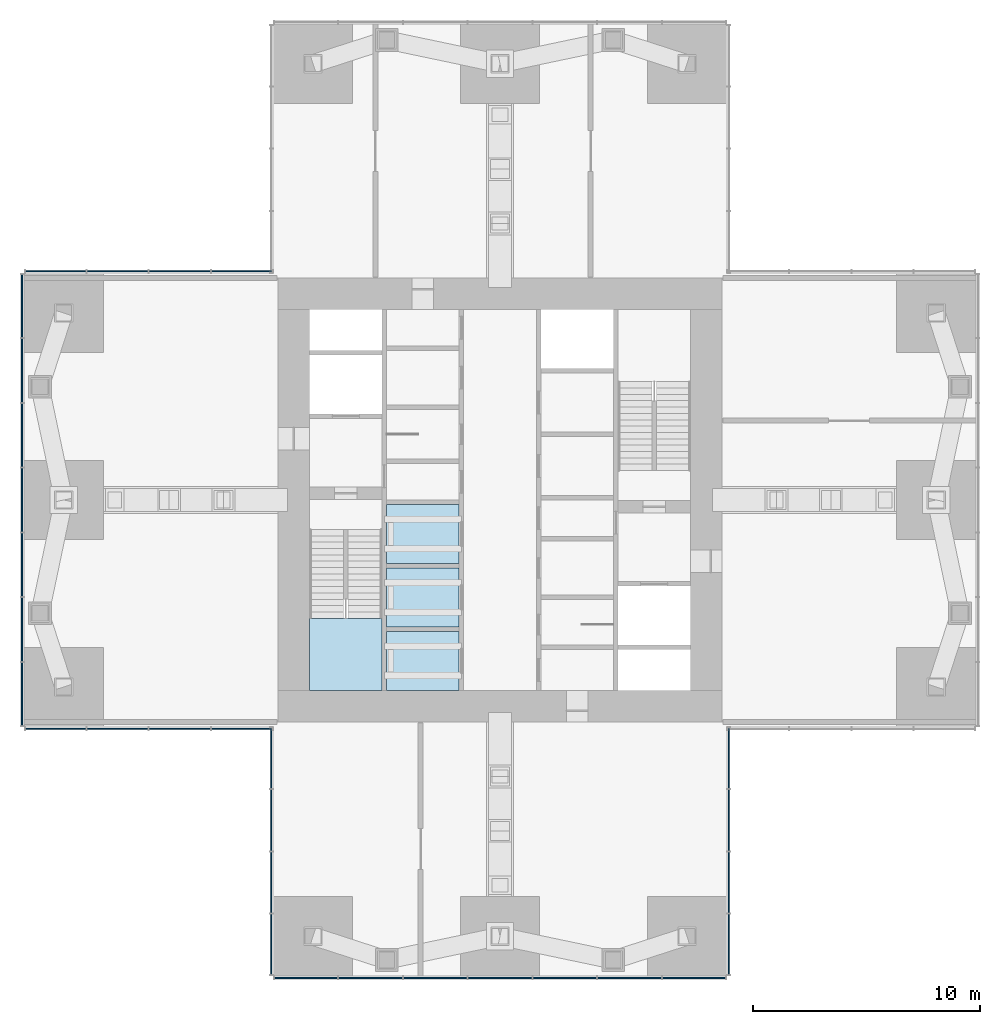
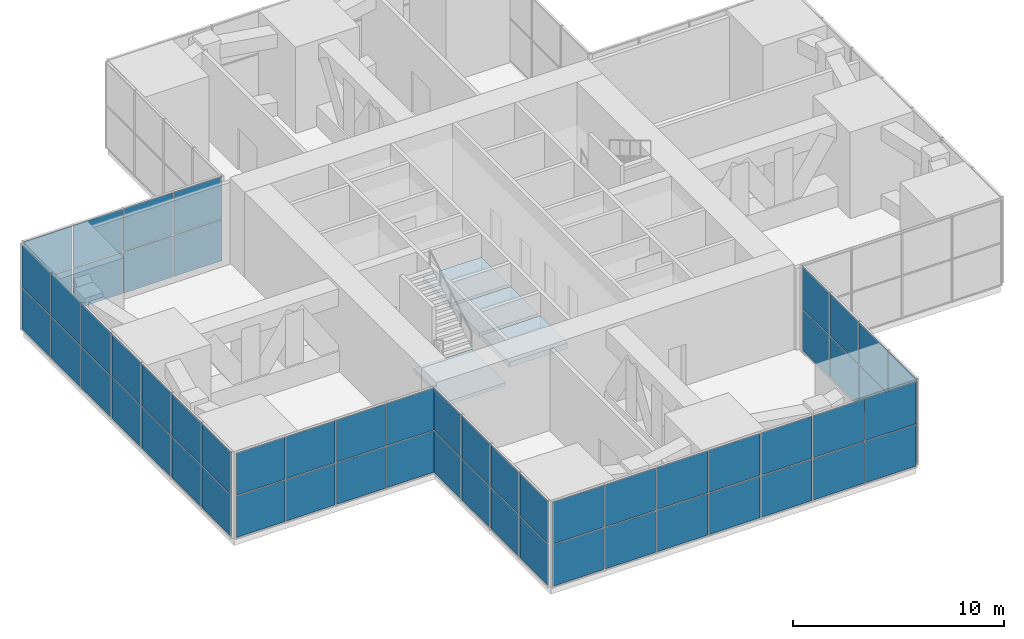
# One storey, part 8 of 12: 60 plates, 4 slabs, 7 elements without a shape of their own.
"""IFC4 building model written with IfcOpenShell, lengths in metres."""

from ifc_helpers import new_model, si_unit, direction, frame, origin, origin_2d, place, context, subcontext, project, spatial, polyline, rectangle, outline, extrude, material, layer, layer_set, type_object, element, aggregate, save


model = new_model("IFC4")

# Units and contexts
model_context = context("Model", 3, precision=1e-05, world=origin(), true_north=direction((0.0, 1.0)))
body_context = subcontext(model_context, "Body", "Model", "MODEL_VIEW")
ifc_project = project(units=[si_unit("LENGTHUNIT", "METRE"), si_unit("AREAUNIT", "SQUARE_METRE"), si_unit("VOLUMEUNIT", "CUBIC_METRE"), si_unit("PLANEANGLEUNIT", "RADIAN"), si_unit("MASSUNIT", "GRAM", prefix="KILO")], contexts=[model_context])

# Site, building, storey
site_placement = place(None, origin())
site = spatial("IfcSite", under=ifc_project, at=site_placement, CompositionType="ELEMENT")
building_placement = place(site_placement, origin())
building = spatial("IfcBuilding", under=site, at=building_placement, Name="Svetlomir Tower", CompositionType="ELEMENT")
storey_placement = place(building_placement, frame((0.0, 0.0, 234.5)))
storey = spatial("IfcBuildingStorey", under=building, at=storey_placement, Name="L56", CompositionType="ELEMENT", Elevation=234.5)

# Curtain wall, plates
ifc_material_1 = material(Name="Bronze anodised aluminium curtain wall", Category="aluminium")
curtain_wall_type = type_object("IfcCurtainWallType", Name="CURTAIN WALL CW3 PLANT LOUVRE", PredefinedType="NOTDEFINED", material=ifc_material_1)
curtain_wall_1_placement = place(storey_placement, origin())
curtain_wall_1 = element("IfcCurtainWall", 1, at=curtain_wall_1_placement, inside=storey, type_object=curtain_wall_type, Name="Curtain wall CW3 L56", PredefinedType="NOTDEFINED")
ifc_material_2 = material(Name="Bronze anodised aluminium louvre", Category="aluminium")
ifc_layer_1 = layer(ifc_material_2, 0.050048828125)
ifc_layer_set_1 = layer_set([ifc_layer_1], Name="Bronze anodised aluminium louvre")
plate_type = type_object("IfcPlateType", Name="CW3 LOUVRE PANEL 50", PredefinedType="CURTAIN_PANEL", material=ifc_layer_set_1)
plate_1_placement = place(storey_placement, frame((12.44482421875, -0.090087890625, 0.06494140625), z_axis=(0.0, 0.0, 1.0), x_axis=(1.0, 0.0, 0.0)))
plate_1 = element("IfcPlate", 2, at=plate_1_placement, type_object=plate_type, Name="CW3 panel 1.1", PredefinedType="CURTAIN_PANEL", context=body_context, shape_type="SweptSolid", body=[
    extrude(rectangle(XDim=2.759521484375, YDim=0.050048828125, at=origin_2d()), origin(), (0.0, 0.0, 1.0), 2.38623046875),
])
plate_2_placement = place(storey_placement, frame((12.44482421875, -0.090087890625, 2.51611328125), z_axis=(0.0, 0.0, 1.0), x_axis=(1.0, 0.0, 0.0)))
plate_2 = element("IfcPlate", 3, at=plate_2_placement, type_object=plate_type, Name="CW3 panel 1.2", PredefinedType="CURTAIN_PANEL", context=body_context, shape_type="SweptSolid", body=[
    extrude(rectangle(XDim=2.759521484375, YDim=0.050048828125, at=origin_2d()), origin(), (0.0, 0.0, 1.0), 2.418701171875),
])
plate_3_placement = place(storey_placement, frame((15.28564453125, -0.090087890625, 0.06494140625), z_axis=(0.0, 0.0, 1.0), x_axis=(1.0, 0.0, 0.0)))
plate_3 = element("IfcPlate", 4, at=plate_3_placement, type_object=plate_type, Name="CW3 panel 2.1", PredefinedType="CURTAIN_PANEL", context=body_context, shape_type="SweptSolid", body=[
    extrude(rectangle(XDim=2.792236328125, YDim=0.050048828125, at=origin_2d()), origin(), (0.0, 0.0, 1.0), 2.38623046875),
])
plate_4_placement = place(storey_placement, frame((15.28564453125, -0.090087890625, 2.51611328125), z_axis=(0.0, 0.0, 1.0), x_axis=(1.0, 0.0, 0.0)))
plate_4 = element("IfcPlate", 5, at=plate_4_placement, type_object=plate_type, Name="CW3 panel 2.2", PredefinedType="CURTAIN_PANEL", context=body_context, shape_type="SweptSolid", body=[
    extrude(rectangle(XDim=2.792236328125, YDim=0.050048828125, at=origin_2d()), origin(), (0.0, 0.0, 1.0), 2.418701171875),
])
plate_5_placement = place(storey_placement, frame((18.142822265625, -0.090087890625, 0.06494140625), z_axis=(0.0, 0.0, 1.0), x_axis=(1.0, 0.0, 0.0)))
plate_5 = element("IfcPlate", 6, at=plate_5_placement, type_object=plate_type, Name="CW3 panel 3.1", PredefinedType="CURTAIN_PANEL", context=body_context, shape_type="SweptSolid", body=[
    extrude(rectangle(XDim=2.792236328125, YDim=0.050048828125, at=origin_2d()), origin(), (0.0, 0.0, 1.0), 2.38623046875),
])
plate_6_placement = place(storey_placement, frame((18.142822265625, -0.090087890625, 2.51611328125), z_axis=(0.0, 0.0, 1.0), x_axis=(1.0, 0.0, 0.0)))
plate_6 = element("IfcPlate", 7, at=plate_6_placement, type_object=plate_type, Name="CW3 panel 3.2", PredefinedType="CURTAIN_PANEL", context=body_context, shape_type="SweptSolid", body=[
    extrude(rectangle(XDim=2.792236328125, YDim=0.050048828125, at=origin_2d()), origin(), (0.0, 0.0, 1.0), 2.418701171875),
])
plate_7_placement = place(storey_placement, frame((21.0, -0.090087890625, 0.06494140625), z_axis=(0.0, 0.0, 1.0), x_axis=(1.0, 0.0, 0.0)))
plate_7 = element("IfcPlate", 8, at=plate_7_placement, type_object=plate_type, Name="CW3 panel 4.1", PredefinedType="CURTAIN_PANEL", context=body_context, shape_type="SweptSolid", body=[
    extrude(rectangle(XDim=2.792236328125, YDim=0.050048828125, at=origin_2d()), origin(), (0.0, 0.0, 1.0), 2.38623046875),
])
plate_8_placement = place(storey_placement, frame((21.0, -0.090087890625, 2.51611328125), z_axis=(0.0, 0.0, 1.0), x_axis=(1.0, 0.0, 0.0)))
plate_8 = element("IfcPlate", 9, at=plate_8_placement, type_object=plate_type, Name="CW3 panel 4.2", PredefinedType="CURTAIN_PANEL", context=body_context, shape_type="SweptSolid", body=[
    extrude(rectangle(XDim=2.792236328125, YDim=0.050048828125, at=origin_2d()), origin(), (0.0, 0.0, 1.0), 2.418701171875),
])
plate_9_placement = place(storey_placement, frame((23.857177734375, -0.090087890625, 0.06494140625), z_axis=(0.0, 0.0, 1.0), x_axis=(1.0, 0.0, 0.0)))
plate_9 = element("IfcPlate", 10, at=plate_9_placement, type_object=plate_type, Name="CW3 panel 5.1", PredefinedType="CURTAIN_PANEL", context=body_context, shape_type="SweptSolid", body=[
    extrude(rectangle(XDim=2.792236328125, YDim=0.050048828125, at=origin_2d()), origin(), (0.0, 0.0, 1.0), 2.38623046875),
])
plate_10_placement = place(storey_placement, frame((23.857177734375, -0.090087890625, 2.51611328125), z_axis=(0.0, 0.0, 1.0), x_axis=(1.0, 0.0, 0.0)))
plate_10 = element("IfcPlate", 11, at=plate_10_placement, type_object=plate_type, Name="CW3 panel 5.2", PredefinedType="CURTAIN_PANEL", context=body_context, shape_type="SweptSolid", body=[
    extrude(rectangle(XDim=2.792236328125, YDim=0.050048828125, at=origin_2d()), origin(), (0.0, 0.0, 1.0), 2.418701171875),
])
plate_11_placement = place(storey_placement, frame((26.71435546875, -0.090087890625, 0.06494140625), z_axis=(0.0, 0.0, 1.0), x_axis=(1.0, 0.0, 0.0)))
plate_11 = element("IfcPlate", 12, at=plate_11_placement, type_object=plate_type, Name="CW3 panel 6.1", PredefinedType="CURTAIN_PANEL", context=body_context, shape_type="SweptSolid", body=[
    extrude(rectangle(XDim=2.792236328125, YDim=0.050048828125, at=origin_2d()), origin(), (0.0, 0.0, 1.0), 2.38623046875),
])
plate_12_placement = place(storey_placement, frame((26.71435546875, -0.090087890625, 2.51611328125), z_axis=(0.0, 0.0, 1.0), x_axis=(1.0, 0.0, 0.0)))
plate_12 = element("IfcPlate", 13, at=plate_12_placement, type_object=plate_type, Name="CW3 panel 6.2", PredefinedType="CURTAIN_PANEL", context=body_context, shape_type="SweptSolid", body=[
    extrude(rectangle(XDim=2.792236328125, YDim=0.050048828125, at=origin_2d()), origin(), (0.0, 0.0, 1.0), 2.418701171875),
])
plate_13_placement = place(storey_placement, frame((29.55517578125, -0.090087890625, 0.06494140625), z_axis=(0.0, 0.0, 1.0), x_axis=(1.0, 0.0, 0.0)))
plate_13 = element("IfcPlate", 14, at=plate_13_placement, type_object=plate_type, Name="CW3 panel 7.1", PredefinedType="CURTAIN_PANEL", context=body_context, shape_type="SweptSolid", body=[
    extrude(rectangle(XDim=2.759521484375, YDim=0.050048828125, at=origin_2d()), origin(), (0.0, 0.0, 1.0), 2.38623046875),
])
plate_14_placement = place(storey_placement, frame((29.55517578125, -0.090087890625, 2.51611328125), z_axis=(0.0, 0.0, 1.0), x_axis=(1.0, 0.0, 0.0)))
plate_14 = element("IfcPlate", 15, at=plate_14_placement, type_object=plate_type, Name="CW3 panel 7.2", PredefinedType="CURTAIN_PANEL", context=body_context, shape_type="SweptSolid", body=[
    extrude(rectangle(XDim=2.759521484375, YDim=0.050048828125, at=origin_2d()), origin(), (0.0, 0.0, 1.0), 2.418701171875),
])
aggregate(curtain_wall_1, [plate_1, plate_2, plate_3, plate_4, plate_5, plate_6, plate_7, plate_8, plate_9, plate_10, plate_11, plate_12, plate_13, plate_14])

curtain_wall_2_placement = place(storey_placement, origin())
curtain_wall_2 = element("IfcCurtainWall", 16, at=curtain_wall_2_placement, inside=storey, type_object=curtain_wall_type, Name="Curtain wall CW3 L56", PredefinedType="NOTDEFINED")
plate_15_placement = place(storey_placement, frame((31.090087890625, 1.391357421875, 0.06494140625), z_axis=(0.0, 0.0, 1.0), x_axis=(0.0, 1.0, 0.0)))
plate_15 = element("IfcPlate", 17, at=plate_15_placement, type_object=plate_type, Name="CW3 panel 1.1", PredefinedType="CURTAIN_PANEL", context=body_context, shape_type="SweptSolid", body=[
    extrude(rectangle(XDim=2.652587890625, YDim=0.050048828125, at=origin_2d()), origin(), (0.0, 0.0, 1.0), 2.38623046875),
])
plate_16_placement = place(storey_placement, frame((31.090087890625, 1.391357421875, 2.51611328125), z_axis=(0.0, 0.0, 1.0), x_axis=(0.0, 1.0, 0.0)))
plate_16 = element("IfcPlate", 18, at=plate_16_placement, type_object=plate_type, Name="CW3 panel 1.2", PredefinedType="CURTAIN_PANEL", context=body_context, shape_type="SweptSolid", body=[
    extrude(rectangle(XDim=2.652587890625, YDim=0.050048828125, at=origin_2d()), origin(), (0.0, 0.0, 1.0), 2.418701171875),
])
plate_17_placement = place(storey_placement, frame((31.090087890625, 4.125, 0.06494140625), z_axis=(0.0, 0.0, 1.0), x_axis=(0.0, 1.0, 0.0)))
plate_17 = element("IfcPlate", 19, at=plate_17_placement, type_object=plate_type, Name="CW3 panel 2.1", PredefinedType="CURTAIN_PANEL", context=body_context, shape_type="SweptSolid", body=[
    extrude(rectangle(XDim=2.68505859375, YDim=0.050048828125, at=origin_2d()), origin(), (0.0, 0.0, 1.0), 2.38623046875),
])
plate_18_placement = place(storey_placement, frame((31.090087890625, 4.125, 2.51611328125), z_axis=(0.0, 0.0, 1.0), x_axis=(0.0, 1.0, 0.0)))
plate_18 = element("IfcPlate", 20, at=plate_18_placement, type_object=plate_type, Name="CW3 panel 2.2", PredefinedType="CURTAIN_PANEL", context=body_context, shape_type="SweptSolid", body=[
    extrude(rectangle(XDim=2.68505859375, YDim=0.050048828125, at=origin_2d()), origin(), (0.0, 0.0, 1.0), 2.418701171875),
])
plate_19_placement = place(storey_placement, frame((31.090087890625, 6.875, 0.06494140625), z_axis=(0.0, 0.0, 1.0), x_axis=(0.0, 1.0, 0.0)))
plate_19 = element("IfcPlate", 21, at=plate_19_placement, type_object=plate_type, Name="CW3 panel 3.1", PredefinedType="CURTAIN_PANEL", context=body_context, shape_type="SweptSolid", body=[
    extrude(rectangle(XDim=2.68505859375, YDim=0.050048828125, at=origin_2d()), origin(), (0.0, 0.0, 1.0), 2.38623046875),
])
plate_20_placement = place(storey_placement, frame((31.090087890625, 6.875, 2.51611328125), z_axis=(0.0, 0.0, 1.0), x_axis=(0.0, 1.0, 0.0)))
plate_20 = element("IfcPlate", 22, at=plate_20_placement, type_object=plate_type, Name="CW3 panel 3.2", PredefinedType="CURTAIN_PANEL", context=body_context, shape_type="SweptSolid", body=[
    extrude(rectangle(XDim=2.68505859375, YDim=0.050048828125, at=origin_2d()), origin(), (0.0, 0.0, 1.0), 2.418701171875),
])
plate_21_placement = place(storey_placement, frame((31.090087890625, 9.608642578125, 0.06494140625), z_axis=(0.0, 0.0, 1.0), x_axis=(0.0, 1.0, 0.0)))
plate_21 = element("IfcPlate", 23, at=plate_21_placement, type_object=plate_type, Name="CW3 panel 4.1", PredefinedType="CURTAIN_PANEL", context=body_context, shape_type="SweptSolid", body=[
    extrude(rectangle(XDim=2.652587890625, YDim=0.050048828125, at=origin_2d()), origin(), (0.0, 0.0, 1.0), 2.38623046875),
])
plate_22_placement = place(storey_placement, frame((31.090087890625, 9.608642578125, 2.51611328125), z_axis=(0.0, 0.0, 1.0), x_axis=(0.0, 1.0, 0.0)))
plate_22 = element("IfcPlate", 24, at=plate_22_placement, type_object=plate_type, Name="CW3 panel 4.2", PredefinedType="CURTAIN_PANEL", context=body_context, shape_type="SweptSolid", body=[
    extrude(rectangle(XDim=2.652587890625, YDim=0.050048828125, at=origin_2d()), origin(), (0.0, 0.0, 1.0), 2.418701171875),
])
aggregate(curtain_wall_2, [plate_15, plate_16, plate_17, plate_18, plate_19, plate_20, plate_21, plate_22])

curtain_wall_3_placement = place(storey_placement, origin())
curtain_wall_3 = element("IfcCurtainWall", 25, at=curtain_wall_3_placement, inside=storey, type_object=curtain_wall_type, Name="Curtain wall CW3 L56", PredefinedType="NOTDEFINED")
plate_23_placement = place(storey_placement, frame((9.608642578125, 31.090087890625, 0.06494140625), z_axis=(0.0, 0.0, 1.0), x_axis=(-1.0, 0.0, 0.0)))
plate_23 = element("IfcPlate", 26, at=plate_23_placement, type_object=plate_type, Name="CW3 panel 1.1", PredefinedType="CURTAIN_PANEL", context=body_context, shape_type="SweptSolid", body=[
    extrude(rectangle(XDim=2.652587890625, YDim=0.050048828125, at=origin_2d()), origin(), (0.0, 0.0, 1.0), 2.38623046875),
])
plate_24_placement = place(storey_placement, frame((9.608642578125, 31.090087890625, 2.51611328125), z_axis=(0.0, 0.0, 1.0), x_axis=(-1.0, 0.0, 0.0)))
plate_24 = element("IfcPlate", 27, at=plate_24_placement, type_object=plate_type, Name="CW3 panel 1.2", PredefinedType="CURTAIN_PANEL", context=body_context, shape_type="SweptSolid", body=[
    extrude(rectangle(XDim=2.652587890625, YDim=0.050048828125, at=origin_2d()), origin(), (0.0, 0.0, 1.0), 2.418701171875),
])
plate_25_placement = place(storey_placement, frame((6.875, 31.090087890625, 0.06494140625), z_axis=(0.0, 0.0, 1.0), x_axis=(-1.0, 0.0, 0.0)))
plate_25 = element("IfcPlate", 28, at=plate_25_placement, type_object=plate_type, Name="CW3 panel 2.1", PredefinedType="CURTAIN_PANEL", context=body_context, shape_type="SweptSolid", body=[
    extrude(rectangle(XDim=2.68505859375, YDim=0.050048828125, at=origin_2d()), origin(), (0.0, 0.0, 1.0), 2.38623046875),
])
plate_26_placement = place(storey_placement, frame((6.875, 31.090087890625, 2.51611328125), z_axis=(0.0, 0.0, 1.0), x_axis=(-1.0, 0.0, 0.0)))
plate_26 = element("IfcPlate", 29, at=plate_26_placement, type_object=plate_type, Name="CW3 panel 2.2", PredefinedType="CURTAIN_PANEL", context=body_context, shape_type="SweptSolid", body=[
    extrude(rectangle(XDim=2.68505859375, YDim=0.050048828125, at=origin_2d()), origin(), (0.0, 0.0, 1.0), 2.418701171875),
])
plate_27_placement = place(storey_placement, frame((4.125, 31.090087890625, 0.06494140625), z_axis=(0.0, 0.0, 1.0), x_axis=(-1.0, 0.0, 0.0)))
plate_27 = element("IfcPlate", 30, at=plate_27_placement, type_object=plate_type, Name="CW3 panel 3.1", PredefinedType="CURTAIN_PANEL", context=body_context, shape_type="SweptSolid", body=[
    extrude(rectangle(XDim=2.68505859375, YDim=0.050048828125, at=origin_2d()), origin(), (0.0, 0.0, 1.0), 2.38623046875),
])
plate_28_placement = place(storey_placement, frame((4.125, 31.090087890625, 2.51611328125), z_axis=(0.0, 0.0, 1.0), x_axis=(-1.0, 0.0, 0.0)))
plate_28 = element("IfcPlate", 31, at=plate_28_placement, type_object=plate_type, Name="CW3 panel 3.2", PredefinedType="CURTAIN_PANEL", context=body_context, shape_type="SweptSolid", body=[
    extrude(rectangle(XDim=2.68505859375, YDim=0.050048828125, at=origin_2d()), origin(), (0.0, 0.0, 1.0), 2.418701171875),
])
plate_29_placement = place(storey_placement, frame((1.391357421875, 31.090087890625, 0.06494140625), z_axis=(0.0, 0.0, 1.0), x_axis=(-1.0, 0.0, 0.0)))
plate_29 = element("IfcPlate", 32, at=plate_29_placement, type_object=plate_type, Name="CW3 panel 4.1", PredefinedType="CURTAIN_PANEL", context=body_context, shape_type="SweptSolid", body=[
    extrude(rectangle(XDim=2.652587890625, YDim=0.050048828125, at=origin_2d()), origin(), (0.0, 0.0, 1.0), 2.38623046875),
])
plate_30_placement = place(storey_placement, frame((1.391357421875, 31.090087890625, 2.51611328125), z_axis=(0.0, 0.0, 1.0), x_axis=(-1.0, 0.0, 0.0)))
plate_30 = element("IfcPlate", 33, at=plate_30_placement, type_object=plate_type, Name="CW3 panel 4.2", PredefinedType="CURTAIN_PANEL", context=body_context, shape_type="SweptSolid", body=[
    extrude(rectangle(XDim=2.652587890625, YDim=0.050048828125, at=origin_2d()), origin(), (0.0, 0.0, 1.0), 2.418701171875),
])
aggregate(curtain_wall_3, [plate_23, plate_24, plate_25, plate_26, plate_27, plate_28, plate_29, plate_30])

curtain_wall_4_placement = place(storey_placement, origin())
curtain_wall_4 = element("IfcCurtainWall", 34, at=curtain_wall_4_placement, inside=storey, type_object=curtain_wall_type, Name="Curtain wall CW3 L56", PredefinedType="NOTDEFINED")
plate_31_placement = place(storey_placement, frame((-0.090087890625, 29.55517578125, 0.06494140625), z_axis=(0.0, 0.0, 1.0), x_axis=(0.0, -1.0, 0.0)))
plate_31 = element("IfcPlate", 35, at=plate_31_placement, type_object=plate_type, Name="CW3 panel 1.1", PredefinedType="CURTAIN_PANEL", context=body_context, shape_type="SweptSolid", body=[
    extrude(rectangle(XDim=2.759521484375, YDim=0.050048828125, at=origin_2d()), origin(), (0.0, 0.0, 1.0), 2.38623046875),
])
plate_32_placement = place(storey_placement, frame((-0.090087890625, 29.55517578125, 2.51611328125), z_axis=(0.0, 0.0, 1.0), x_axis=(0.0, -1.0, 0.0)))
plate_32 = element("IfcPlate", 36, at=plate_32_placement, type_object=plate_type, Name="CW3 panel 1.2", PredefinedType="CURTAIN_PANEL", context=body_context, shape_type="SweptSolid", body=[
    extrude(rectangle(XDim=2.759521484375, YDim=0.050048828125, at=origin_2d()), origin(), (0.0, 0.0, 1.0), 2.418701171875),
])
plate_33_placement = place(storey_placement, frame((-0.090087890625, 26.71435546875, 0.06494140625), z_axis=(0.0, 0.0, 1.0), x_axis=(0.0, -1.0, 0.0)))
plate_33 = element("IfcPlate", 37, at=plate_33_placement, type_object=plate_type, Name="CW3 panel 2.1", PredefinedType="CURTAIN_PANEL", context=body_context, shape_type="SweptSolid", body=[
    extrude(rectangle(XDim=2.792236328125, YDim=0.050048828125, at=origin_2d()), origin(), (0.0, 0.0, 1.0), 2.38623046875),
])
plate_34_placement = place(storey_placement, frame((-0.090087890625, 26.71435546875, 2.51611328125), z_axis=(0.0, 0.0, 1.0), x_axis=(0.0, -1.0, 0.0)))
plate_34 = element("IfcPlate", 38, at=plate_34_placement, type_object=plate_type, Name="CW3 panel 2.2", PredefinedType="CURTAIN_PANEL", context=body_context, shape_type="SweptSolid", body=[
    extrude(rectangle(XDim=2.792236328125, YDim=0.050048828125, at=origin_2d()), origin(), (0.0, 0.0, 1.0), 2.418701171875),
])
plate_35_placement = place(storey_placement, frame((-0.090087890625, 23.857177734375, 0.06494140625), z_axis=(0.0, 0.0, 1.0), x_axis=(0.0, -1.0, 0.0)))
plate_35 = element("IfcPlate", 39, at=plate_35_placement, type_object=plate_type, Name="CW3 panel 3.1", PredefinedType="CURTAIN_PANEL", context=body_context, shape_type="SweptSolid", body=[
    extrude(rectangle(XDim=2.792236328125, YDim=0.050048828125, at=origin_2d()), origin(), (0.0, 0.0, 1.0), 2.38623046875),
])
plate_36_placement = place(storey_placement, frame((-0.090087890625, 23.857177734375, 2.51611328125), z_axis=(0.0, 0.0, 1.0), x_axis=(0.0, -1.0, 0.0)))
plate_36 = element("IfcPlate", 40, at=plate_36_placement, type_object=plate_type, Name="CW3 panel 3.2", PredefinedType="CURTAIN_PANEL", context=body_context, shape_type="SweptSolid", body=[
    extrude(rectangle(XDim=2.792236328125, YDim=0.050048828125, at=origin_2d()), origin(), (0.0, 0.0, 1.0), 2.418701171875),
])
plate_37_placement = place(storey_placement, frame((-0.090087890625, 21.0, 0.06494140625), z_axis=(0.0, 0.0, 1.0), x_axis=(0.0, -1.0, 0.0)))
plate_37 = element("IfcPlate", 41, at=plate_37_placement, type_object=plate_type, Name="CW3 panel 4.1", PredefinedType="CURTAIN_PANEL", context=body_context, shape_type="SweptSolid", body=[
    extrude(rectangle(XDim=2.792236328125, YDim=0.050048828125, at=origin_2d()), origin(), (0.0, 0.0, 1.0), 2.38623046875),
])
plate_38_placement = place(storey_placement, frame((-0.090087890625, 21.0, 2.51611328125), z_axis=(0.0, 0.0, 1.0), x_axis=(0.0, -1.0, 0.0)))
plate_38 = element("IfcPlate", 42, at=plate_38_placement, type_object=plate_type, Name="CW3 panel 4.2", PredefinedType="CURTAIN_PANEL", context=body_context, shape_type="SweptSolid", body=[
    extrude(rectangle(XDim=2.792236328125, YDim=0.050048828125, at=origin_2d()), origin(), (0.0, 0.0, 1.0), 2.418701171875),
])
plate_39_placement = place(storey_placement, frame((-0.090087890625, 18.142822265625, 0.06494140625), z_axis=(0.0, 0.0, 1.0), x_axis=(0.0, -1.0, 0.0)))
plate_39 = element("IfcPlate", 43, at=plate_39_placement, type_object=plate_type, Name="CW3 panel 5.1", PredefinedType="CURTAIN_PANEL", context=body_context, shape_type="SweptSolid", body=[
    extrude(rectangle(XDim=2.792236328125, YDim=0.050048828125, at=origin_2d()), origin(), (0.0, 0.0, 1.0), 2.38623046875),
])
plate_40_placement = place(storey_placement, frame((-0.090087890625, 18.142822265625, 2.51611328125), z_axis=(0.0, 0.0, 1.0), x_axis=(0.0, -1.0, 0.0)))
plate_40 = element("IfcPlate", 44, at=plate_40_placement, type_object=plate_type, Name="CW3 panel 5.2", PredefinedType="CURTAIN_PANEL", context=body_context, shape_type="SweptSolid", body=[
    extrude(rectangle(XDim=2.792236328125, YDim=0.050048828125, at=origin_2d()), origin(), (0.0, 0.0, 1.0), 2.418701171875),
])
plate_41_placement = place(storey_placement, frame((-0.090087890625, 15.28564453125, 0.06494140625), z_axis=(0.0, 0.0, 1.0), x_axis=(0.0, -1.0, 0.0)))
plate_41 = element("IfcPlate", 45, at=plate_41_placement, type_object=plate_type, Name="CW3 panel 6.1", PredefinedType="CURTAIN_PANEL", context=body_context, shape_type="SweptSolid", body=[
    extrude(rectangle(XDim=2.792236328125, YDim=0.050048828125, at=origin_2d()), origin(), (0.0, 0.0, 1.0), 2.38623046875),
])
plate_42_placement = place(storey_placement, frame((-0.090087890625, 15.28564453125, 2.51611328125), z_axis=(0.0, 0.0, 1.0), x_axis=(0.0, -1.0, 0.0)))
plate_42 = element("IfcPlate", 46, at=plate_42_placement, type_object=plate_type, Name="CW3 panel 6.2", PredefinedType="CURTAIN_PANEL", context=body_context, shape_type="SweptSolid", body=[
    extrude(rectangle(XDim=2.792236328125, YDim=0.050048828125, at=origin_2d()), origin(), (0.0, 0.0, 1.0), 2.418701171875),
])
plate_43_placement = place(storey_placement, frame((-0.090087890625, 12.44482421875, 0.06494140625), z_axis=(0.0, 0.0, 1.0), x_axis=(0.0, -1.0, 0.0)))
plate_43 = element("IfcPlate", 47, at=plate_43_placement, type_object=plate_type, Name="CW3 panel 7.1", PredefinedType="CURTAIN_PANEL", context=body_context, shape_type="SweptSolid", body=[
    extrude(rectangle(XDim=2.759521484375, YDim=0.050048828125, at=origin_2d()), origin(), (0.0, 0.0, 1.0), 2.38623046875),
])
plate_44_placement = place(storey_placement, frame((-0.090087890625, 12.44482421875, 2.51611328125), z_axis=(0.0, 0.0, 1.0), x_axis=(0.0, -1.0, 0.0)))
plate_44 = element("IfcPlate", 48, at=plate_44_placement, type_object=plate_type, Name="CW3 panel 7.2", PredefinedType="CURTAIN_PANEL", context=body_context, shape_type="SweptSolid", body=[
    extrude(rectangle(XDim=2.759521484375, YDim=0.050048828125, at=origin_2d()), origin(), (0.0, 0.0, 1.0), 2.418701171875),
])
aggregate(curtain_wall_4, [plate_31, plate_32, plate_33, plate_34, plate_35, plate_36, plate_37, plate_38, plate_39, plate_40, plate_41, plate_42, plate_43, plate_44])

curtain_wall_5_placement = place(storey_placement, origin())
curtain_wall_5 = element("IfcCurtainWall", 49, at=curtain_wall_5_placement, inside=storey, type_object=curtain_wall_type, Name="Curtain wall CW3 L56", PredefinedType="NOTDEFINED")
plate_45_placement = place(storey_placement, frame((1.391357421875, 10.909912109375, 0.06494140625), z_axis=(0.0, 0.0, 1.0), x_axis=(1.0, 0.0, 0.0)))
plate_45 = element("IfcPlate", 50, at=plate_45_placement, type_object=plate_type, Name="CW3 panel 1.1", PredefinedType="CURTAIN_PANEL", context=body_context, shape_type="SweptSolid", body=[
    extrude(rectangle(XDim=2.652587890625, YDim=0.050048828125, at=origin_2d()), origin(), (0.0, 0.0, 1.0), 2.38623046875),
])
plate_46_placement = place(storey_placement, frame((1.391357421875, 10.909912109375, 2.51611328125), z_axis=(0.0, 0.0, 1.0), x_axis=(1.0, 0.0, 0.0)))
plate_46 = element("IfcPlate", 51, at=plate_46_placement, type_object=plate_type, Name="CW3 panel 1.2", PredefinedType="CURTAIN_PANEL", context=body_context, shape_type="SweptSolid", body=[
    extrude(rectangle(XDim=2.652587890625, YDim=0.050048828125, at=origin_2d()), origin(), (0.0, 0.0, 1.0), 2.418701171875),
])
plate_47_placement = place(storey_placement, frame((4.125, 10.909912109375, 0.06494140625), z_axis=(0.0, 0.0, 1.0), x_axis=(1.0, 0.0, 0.0)))
plate_47 = element("IfcPlate", 52, at=plate_47_placement, type_object=plate_type, Name="CW3 panel 2.1", PredefinedType="CURTAIN_PANEL", context=body_context, shape_type="SweptSolid", body=[
    extrude(rectangle(XDim=2.68505859375, YDim=0.050048828125, at=origin_2d()), origin(), (0.0, 0.0, 1.0), 2.38623046875),
])
plate_48_placement = place(storey_placement, frame((4.125, 10.909912109375, 2.51611328125), z_axis=(0.0, 0.0, 1.0), x_axis=(1.0, 0.0, 0.0)))
plate_48 = element("IfcPlate", 53, at=plate_48_placement, type_object=plate_type, Name="CW3 panel 2.2", PredefinedType="CURTAIN_PANEL", context=body_context, shape_type="SweptSolid", body=[
    extrude(rectangle(XDim=2.68505859375, YDim=0.050048828125, at=origin_2d()), origin(), (0.0, 0.0, 1.0), 2.418701171875),
])
plate_49_placement = place(storey_placement, frame((6.875, 10.909912109375, 0.06494140625), z_axis=(0.0, 0.0, 1.0), x_axis=(1.0, 0.0, 0.0)))
plate_49 = element("IfcPlate", 54, at=plate_49_placement, type_object=plate_type, Name="CW3 panel 3.1", PredefinedType="CURTAIN_PANEL", context=body_context, shape_type="SweptSolid", body=[
    extrude(rectangle(XDim=2.68505859375, YDim=0.050048828125, at=origin_2d()), origin(), (0.0, 0.0, 1.0), 2.38623046875),
])
plate_50_placement = place(storey_placement, frame((6.875, 10.909912109375, 2.51611328125), z_axis=(0.0, 0.0, 1.0), x_axis=(1.0, 0.0, 0.0)))
plate_50 = element("IfcPlate", 55, at=plate_50_placement, type_object=plate_type, Name="CW3 panel 3.2", PredefinedType="CURTAIN_PANEL", context=body_context, shape_type="SweptSolid", body=[
    extrude(rectangle(XDim=2.68505859375, YDim=0.050048828125, at=origin_2d()), origin(), (0.0, 0.0, 1.0), 2.418701171875),
])
plate_51_placement = place(storey_placement, frame((9.608642578125, 10.909912109375, 0.06494140625), z_axis=(0.0, 0.0, 1.0), x_axis=(1.0, 0.0, 0.0)))
plate_51 = element("IfcPlate", 56, at=plate_51_placement, type_object=plate_type, Name="CW3 panel 4.1", PredefinedType="CURTAIN_PANEL", context=body_context, shape_type="SweptSolid", body=[
    extrude(rectangle(XDim=2.652587890625, YDim=0.050048828125, at=origin_2d()), origin(), (0.0, 0.0, 1.0), 2.38623046875),
])
plate_52_placement = place(storey_placement, frame((9.608642578125, 10.909912109375, 2.51611328125), z_axis=(0.0, 0.0, 1.0), x_axis=(1.0, 0.0, 0.0)))
plate_52 = element("IfcPlate", 57, at=plate_52_placement, type_object=plate_type, Name="CW3 panel 4.2", PredefinedType="CURTAIN_PANEL", context=body_context, shape_type="SweptSolid", body=[
    extrude(rectangle(XDim=2.652587890625, YDim=0.050048828125, at=origin_2d()), origin(), (0.0, 0.0, 1.0), 2.418701171875),
])
aggregate(curtain_wall_5, [plate_45, plate_46, plate_47, plate_48, plate_49, plate_50, plate_51, plate_52])

curtain_wall_6_placement = place(storey_placement, origin())
curtain_wall_6 = element("IfcCurtainWall", 58, at=curtain_wall_6_placement, inside=storey, type_object=curtain_wall_type, Name="Curtain wall CW3 L56", PredefinedType="NOTDEFINED")
plate_53_placement = place(storey_placement, frame((10.909912109375, 9.608642578125, 0.06494140625), z_axis=(0.0, 0.0, 1.0), x_axis=(0.0, -1.0, 0.0)))
plate_53 = element("IfcPlate", 59, at=plate_53_placement, type_object=plate_type, Name="CW3 panel 1.1", PredefinedType="CURTAIN_PANEL", context=body_context, shape_type="SweptSolid", body=[
    extrude(rectangle(XDim=2.652587890625, YDim=0.050048828125, at=origin_2d()), origin(), (0.0, 0.0, 1.0), 2.38623046875),
])
plate_54_placement = place(storey_placement, frame((10.909912109375, 9.608642578125, 2.51611328125), z_axis=(0.0, 0.0, 1.0), x_axis=(0.0, -1.0, 0.0)))
plate_54 = element("IfcPlate", 60, at=plate_54_placement, type_object=plate_type, Name="CW3 panel 1.2", PredefinedType="CURTAIN_PANEL", context=body_context, shape_type="SweptSolid", body=[
    extrude(rectangle(XDim=2.652587890625, YDim=0.050048828125, at=origin_2d()), origin(), (0.0, 0.0, 1.0), 2.418701171875),
])
plate_55_placement = place(storey_placement, frame((10.909912109375, 6.875, 0.06494140625), z_axis=(0.0, 0.0, 1.0), x_axis=(0.0, -1.0, 0.0)))
plate_55 = element("IfcPlate", 61, at=plate_55_placement, type_object=plate_type, Name="CW3 panel 2.1", PredefinedType="CURTAIN_PANEL", context=body_context, shape_type="SweptSolid", body=[
    extrude(rectangle(XDim=2.68505859375, YDim=0.050048828125, at=origin_2d()), origin(), (0.0, 0.0, 1.0), 2.38623046875),
])
plate_56_placement = place(storey_placement, frame((10.909912109375, 6.875, 2.51611328125), z_axis=(0.0, 0.0, 1.0), x_axis=(0.0, -1.0, 0.0)))
plate_56 = element("IfcPlate", 62, at=plate_56_placement, type_object=plate_type, Name="CW3 panel 2.2", PredefinedType="CURTAIN_PANEL", context=body_context, shape_type="SweptSolid", body=[
    extrude(rectangle(XDim=2.68505859375, YDim=0.050048828125, at=origin_2d()), origin(), (0.0, 0.0, 1.0), 2.418701171875),
])
plate_57_placement = place(storey_placement, frame((10.909912109375, 4.125, 0.06494140625), z_axis=(0.0, 0.0, 1.0), x_axis=(0.0, -1.0, 0.0)))
plate_57 = element("IfcPlate", 63, at=plate_57_placement, type_object=plate_type, Name="CW3 panel 3.1", PredefinedType="CURTAIN_PANEL", context=body_context, shape_type="SweptSolid", body=[
    extrude(rectangle(XDim=2.68505859375, YDim=0.050048828125, at=origin_2d()), origin(), (0.0, 0.0, 1.0), 2.38623046875),
])
plate_58_placement = place(storey_placement, frame((10.909912109375, 4.125, 2.51611328125), z_axis=(0.0, 0.0, 1.0), x_axis=(0.0, -1.0, 0.0)))
plate_58 = element("IfcPlate", 64, at=plate_58_placement, type_object=plate_type, Name="CW3 panel 3.2", PredefinedType="CURTAIN_PANEL", context=body_context, shape_type="SweptSolid", body=[
    extrude(rectangle(XDim=2.68505859375, YDim=0.050048828125, at=origin_2d()), origin(), (0.0, 0.0, 1.0), 2.418701171875),
])
plate_59_placement = place(storey_placement, frame((10.909912109375, 1.391357421875, 0.06494140625), z_axis=(0.0, 0.0, 1.0), x_axis=(0.0, -1.0, 0.0)))
plate_59 = element("IfcPlate", 65, at=plate_59_placement, type_object=plate_type, Name="CW3 panel 4.1", PredefinedType="CURTAIN_PANEL", context=body_context, shape_type="SweptSolid", body=[
    extrude(rectangle(XDim=2.652587890625, YDim=0.050048828125, at=origin_2d()), origin(), (0.0, 0.0, 1.0), 2.38623046875),
])
plate_60_placement = place(storey_placement, frame((10.909912109375, 1.391357421875, 2.51611328125), z_axis=(0.0, 0.0, 1.0), x_axis=(0.0, -1.0, 0.0)))
plate_60 = element("IfcPlate", 66, at=plate_60_placement, type_object=plate_type, Name="CW3 panel 4.2", PredefinedType="CURTAIN_PANEL", context=body_context, shape_type="SweptSolid", body=[
    extrude(rectangle(XDim=2.652587890625, YDim=0.050048828125, at=origin_2d()), origin(), (0.0, 0.0, 1.0), 2.418701171875),
])
aggregate(curtain_wall_6, [plate_53, plate_54, plate_55, plate_56, plate_57, plate_58, plate_59, plate_60])

# Slabs
ifc_material_3 = material(Name="Concrete C60/75", Category="concrete")
ifc_layer_2 = layer(ifc_material_3, 0.300048828125)
ifc_layer_set_2 = layer_set([ifc_layer_2], Name="Concrete C60/75")
slab_type_1 = type_object("IfcSlabType", Name="LIFT PIT SLAB 300", PredefinedType="USERDEFINED", material=ifc_layer_set_2)
slab_1_placement = place(storey_placement, frame((0.0, 0.0, 3.300048828125)))
element("IfcSlab", 67, at=slab_1_placement, inside=storey, type_object=slab_type_1, Name="Lift pit slab BANK-W1 under L57", ObjectType="LIFT PIT", PredefinedType="USERDEFINED", context=body_context, shape_type="SweptSolid", body=[
    extrude(outline(polyline([(16.0, 12.60009765625), (19.199951171875, 12.60009765625), (19.199951171875, 15.199951171875), (16.0, 15.199951171875), (16.0, 12.60009765625)])), origin(), (0.0, 0.0, 1.0), 0.300048828125),
])
slab_2_placement = place(storey_placement, frame((0.0, 0.0, 3.300048828125)))
element("IfcSlab", 68, at=slab_2_placement, inside=storey, type_object=slab_type_1, Name="Lift pit slab BANK-W2 under L57", ObjectType="LIFT PIT", PredefinedType="USERDEFINED", context=body_context, shape_type="SweptSolid", body=[
    extrude(outline(polyline([(16.0, 15.39990234375), (19.199951171875, 15.39990234375), (19.199951171875, 18.0), (16.0, 18.0), (16.0, 15.39990234375)])), origin(), (0.0, 0.0, 1.0), 0.300048828125),
])
slab_3_placement = place(storey_placement, frame((0.0, 0.0, 3.300048828125)))
element("IfcSlab", 69, at=slab_3_placement, inside=storey, type_object=slab_type_1, Name="Lift pit slab BANK-W3 under L57", ObjectType="LIFT PIT", PredefinedType="USERDEFINED", context=body_context, shape_type="SweptSolid", body=[
    extrude(outline(polyline([(16.0, 18.199951171875), (19.199951171875, 18.199951171875), (19.199951171875, 20.800048828125), (16.0, 20.800048828125), (16.0, 18.199951171875)])), origin(), (0.0, 0.0, 1.0), 0.300048828125),
])

# Stair, slab
ifc_material_4 = material(Name="Concrete C60/75", Category="concrete")
stair_type = type_object("IfcStairType", Name="EXIT STAIR 3200 RISE 5000", PredefinedType="HALF_TURN_STAIR", material=ifc_material_4)
stair_placement = place(storey_placement, origin())
stair = element("IfcStair", 70, at=stair_placement, inside=storey, type_object=stair_type, Name="Stair S1 L56 to L57", PredefinedType="HALF_TURN_STAIR")
ifc_material_5 = material(Name="Concrete C60/75", Category="concrete")
ifc_layer_3 = layer(ifc_material_5, 0.199951171875)
ifc_layer_set_3 = layer_set([ifc_layer_3], Name="Concrete C60/75")
slab_type_2 = type_object("IfcSlabType", Name="STAIR LANDING 200", PredefinedType="LANDING", material=ifc_layer_set_3)
slab_4_placement = place(storey_placement, frame((0.0, 0.0, 2.300048828125)))
slab_4 = element("IfcSlab", 71, at=slab_4_placement, type_object=slab_type_2, Name="S1 landing 1", PredefinedType="LANDING", context=body_context, shape_type="SweptSolid", body=[
    extrude(outline(polyline([(12.60009765625, 12.60009765625), (15.800048828125, 12.60009765625), (15.800048828125, 15.780029296875), (12.60009765625, 15.780029296875), (12.60009765625, 12.60009765625)])), origin(), (0.0, 0.0, 1.0), 0.199951171875),
])
aggregate(stair, [slab_4])

save(model, "model.ifc")
